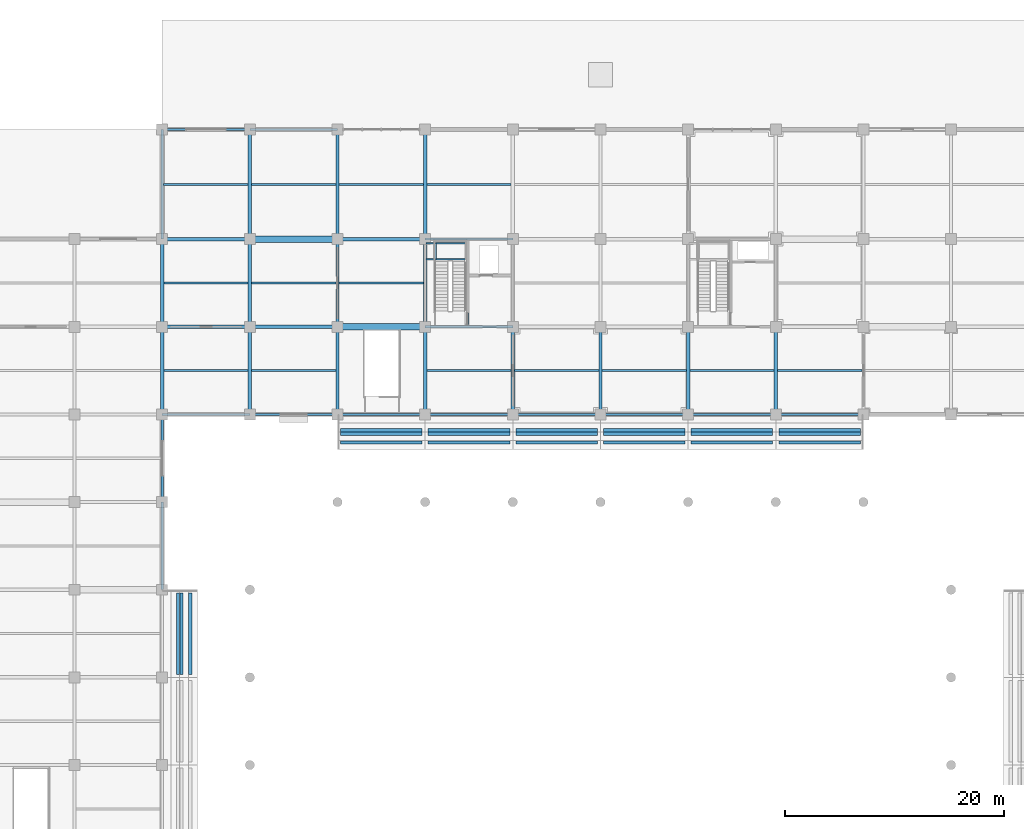
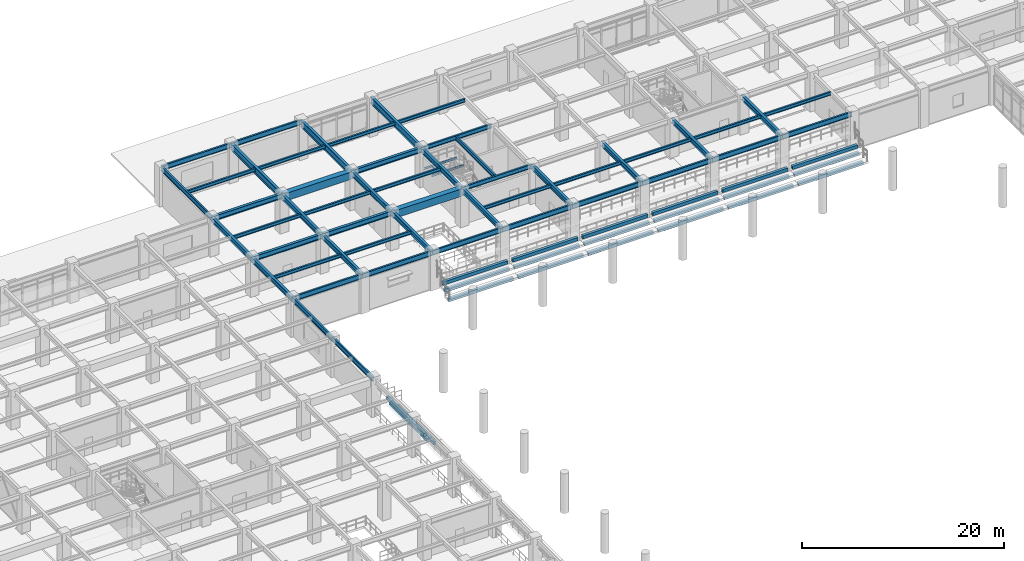
# One storey, part 45 of 117: 75 beams.
"""IFC4 building model written with IfcOpenShell, lengths in metres."""

import ifcopenshell
import ifcopenshell.guid

model = None  # the IFC model being written
_history = None  # IfcOwnerHistory: only IFC2X3 demands one
_inside = {}  # id of a spatial element -> (the spatial element, [elements in it])
_under = {}  # id of a project, library or spatial element -> (it, [spatial elements below it])
_declared = {}  # id of a project -> (the project, [libraries it declares])
_typed = {}  # id of a type object -> (the type object, [elements of that type])
_made_of = {}  # id of a material, layer set ... -> (it, [elements and type objects made of it])


def new_model(schema):
    """Start an empty IFC model of exactly this schema.

    Asked for "IFC4X3", IfcOpenShell would pick the latest addendum, in which some entities
    have other attributes; the version numbers below select the first issue.
    IFC2X3 requires an IfcOwnerHistory on every rooted entity: one is made here for all.
    """
    global model, _history
    if schema == "IFC4X3":
        model = ifcopenshell.file(schema_version=(4, 3, 0, 0))
    else:
        model = ifcopenshell.file(schema=schema)
    _inside.clear()
    _under.clear()
    _declared.clear()
    _typed.clear()
    _made_of.clear()
    _history = None
    if model.schema == "IFC2X3":
        org = make("IfcOrganization", Name="unknown")
        user = make(
            "IfcPersonAndOrganization",
            ThePerson=make("IfcPerson", FamilyName="unknown"),
            TheOrganization=org,
        )
        app = make(
            "IfcApplication",
            ApplicationDeveloper=org,
            Version="unknown",
            ApplicationFullName="unknown",
            ApplicationIdentifier="unknown",
        )
        _history = make(
            "IfcOwnerHistory",
            OwningUser=user,
            OwningApplication=app,
            ChangeAction="ADDED",
            CreationDate=0,
        )
    return model


def make(cls, **values):
    """One entity of the class cls with the attributes given. An attribute that is None is left unset."""
    return model.create_entity(
        cls, **{name: value for name, value in values.items() if value is not None}
    )


def rooted(cls, **values):
    """An entity with a GlobalId (a new one), such as an element, a storey or a relation."""
    return make(cls, GlobalId=ifcopenshell.guid.new(), OwnerHistory=_history, **values)


def si_unit(unit_type, name, prefix=None):
    """IfcSIUnit, for example si_unit("LENGTHUNIT", "METRE", prefix="MILLI")."""
    return make("IfcSIUnit", UnitType=unit_type, Prefix=prefix, Name=name)


def assignment(units):
    """IfcUnitAssignment: the units of a project."""
    return None if units is None else make("IfcUnitAssignment", Units=units)


def point(xyz):
    """IfcCartesianPoint."""
    return None if xyz is None else make("IfcCartesianPoint", Coordinates=xyz)


def direction(xyz):
    """IfcDirection."""
    return None if xyz is None else make("IfcDirection", DirectionRatios=xyz)


def frame(location, z_axis=None, x_axis=None):
    """IfcAxis2Placement3D, a coordinate frame: its origin and axes. An axis left out is left unset."""
    return make(
        "IfcAxis2Placement3D",
        Location=point(location),
        Axis=direction(z_axis),
        RefDirection=direction(x_axis),
    )


def frame_2d(location, x_axis=None):
    """IfcAxis2Placement2D, a coordinate frame in the plane: its origin and x axis."""
    return make(
        "IfcAxis2Placement2D", Location=point(location), RefDirection=direction(x_axis)
    )


def origin():
    """The frame at (0, 0, 0) with its axes left unset."""
    return frame((0.0, 0.0, 0.0))


def origin_2d():
    """The frame at (0, 0) in the plane with its x axis left unset."""
    return frame_2d((0.0, 0.0))


def place(relative_to, where):
    """IfcLocalPlacement: puts the frame where relative to a parent placement (None: the world)."""
    return make(
        "IfcLocalPlacement", PlacementRelTo=relative_to, RelativePlacement=where
    )


def context(
    kind, dimensions, precision=None, world=None, true_north=None, identifier=None
):
    """IfcGeometricRepresentationContext, for example the 3D "Model" context."""
    return make(
        "IfcGeometricRepresentationContext",
        ContextIdentifier=identifier,
        ContextType=kind,
        CoordinateSpaceDimension=dimensions,
        Precision=precision,
        WorldCoordinateSystem=world,
        TrueNorth=true_north,
    )


def subcontext(parent, identifier, kind, view, scale=None):
    """IfcGeometricRepresentationSubContext, for example "Body" below "Model"."""
    return make(
        "IfcGeometricRepresentationSubContext",
        ContextIdentifier=identifier,
        ContextType=kind,
        ParentContext=parent,
        TargetScale=scale,
        TargetView=view,
    )


def project(units=None, contexts=None):
    """IfcProject with its units and contexts."""
    return rooted(
        "IfcProject",
        Name="project",
        RepresentationContexts=contexts,
        UnitsInContext=assignment(units),
    )


def spatial(cls, under=None, at=None, **own):
    """A site, building, storey or space (cls), placed at a placement, below another one or the project."""
    s = rooted(cls, ObjectPlacement=at, **own)
    if under is not None:
        _under.setdefault(under.id(), (under, []))[1].append(s)
    return s


def profile(cls, at=None, kind="AREA", **sizes):
    """A parametric profile (cls). Its sizes go by their IFC names, for example OverallWidth=200.0."""
    return make(cls, ProfileType=kind, Position=at, **sizes)


def rectangle(**sizes):
    """IfcRectangleProfileDef."""
    return profile("IfcRectangleProfileDef", **sizes)


def i_section(**sizes):
    """IfcIShapeProfileDef."""
    return profile("IfcIShapeProfileDef", **sizes)


def extrude(swept, where, along, depth):
    """IfcExtrudedAreaSolid: the profile swept, set in the frame where, extruded along a direction by depth."""
    return make(
        "IfcExtrudedAreaSolid",
        SweptArea=swept,
        Position=where,
        ExtrudedDirection=direction(along),
        Depth=depth,
    )


def shape(context_of_items, identifier, shape_type, items):
    """IfcShapeRepresentation: the items that make up one representation, for example the "Body"."""
    return make(
        "IfcShapeRepresentation",
        ContextOfItems=context_of_items,
        RepresentationIdentifier=identifier,
        RepresentationType=shape_type,
        Items=items,
    )


def material(Name=None, Category=None):
    """IfcMaterial."""
    return make("IfcMaterial", Name=Name, Category=Category)


def material_profile(
    of_material, cross_section, Name=None, Category=None, Priority=None
):
    """IfcMaterialProfile: a cross section and its material."""
    return make(
        "IfcMaterialProfile",
        Name=Name,
        Material=of_material,
        Profile=cross_section,
        Priority=Priority,
        Category=Category,
    )


def profile_set(profiles, Name=None, composite=None):
    """IfcMaterialProfileSet."""
    return make(
        "IfcMaterialProfileSet",
        Name=Name,
        MaterialProfiles=profiles,
        CompositeProfile=composite,
    )


def made_of(thing, what):
    """Note that an element or type object is made of a material, layer set ...; save() writes the relation."""
    if what is not None:
        _made_of.setdefault(what.id(), (what, []))[1].append(thing)
    return thing


def type_object(cls, material=None, **own):
    """A type object (cls), such as IfcWallType, which elements share."""
    return made_of(rooted(cls, **own), material)


def element(
    cls,
    number,
    at=None,
    inside=None,
    cuts=None,
    type_object=None,
    material=None,
    context=None,
    identifier="Body",
    shape_type=None,
    held_by="IfcProductDefinitionShape",
    body=None,
    shapes=None,
    **own,
):
    """One element of the class cls, such as IfcWall. Its Tag is "e" and its number.

    at: its placement. inside: the storey or other place that contains it. cuts: it is an
    opening in that element (IfcRelVoidsElement). A single representation is given by context,
    identifier, shape_type and body (its items); several are given by shapes. held_by: the class
    of the entity that holds the representations. save() writes the other relations.
    """
    e = rooted(cls, Tag="e%d" % number, ObjectPlacement=at, **own)
    if body is not None:
        shapes = [shape(context, identifier, shape_type, body)]
    if shapes is not None:
        e.Representation = make(held_by, Representations=shapes)
    if inside is not None:
        _inside.setdefault(inside.id(), (inside, []))[1].append(e)
    if cuts is not None:
        rooted(
            "IfcRelVoidsElement", RelatingBuildingElement=cuts, RelatedOpeningElement=e
        )
    if type_object is not None:
        _typed.setdefault(type_object.id(), (type_object, []))[1].append(e)
    return made_of(e, material)


def aggregate(whole, parts):
    """IfcRelAggregates: a whole, such as a stair, and the parts it consists of."""
    return rooted("IfcRelAggregates", RelatingObject=whole, RelatedObjects=parts)


def save(model, path):
    """Write the relations noted so far, then the file.

    IfcRelAggregates (storeys below a building ...), IfcRelContainedInSpatialStructure (elements
    in a storey), IfcRelDefinesByType, IfcRelAssociatesMaterial and IfcRelDeclares: one each for
    every whole, place, type object, material and project.
    """
    for whole, parts in _under.values():
        aggregate(whole, parts)
    for where, things in _inside.values():
        rooted(
            "IfcRelContainedInSpatialStructure",
            RelatedElements=things,
            RelatingStructure=where,
        )
    for kind, things in _typed.values():
        rooted("IfcRelDefinesByType", RelatedObjects=things, RelatingType=kind)
    for what, things in _made_of.values():
        rooted("IfcRelAssociatesMaterial", RelatedObjects=things, RelatingMaterial=what)
    for by, libraries in _declared.values():
        rooted("IfcRelDeclares", RelatingContext=by, RelatedDefinitions=libraries)
    model.write(path)


model = new_model("IFC4")

# Units and contexts
model_context = context("Model", 3, precision=1e-05, world=origin(), true_north=direction((0.0, 1.0)))
body_context = subcontext(model_context, "Body", "Model", "MODEL_VIEW")
ifc_project = project(units=[si_unit("LENGTHUNIT", "METRE"), si_unit("AREAUNIT", "SQUARE_METRE"), si_unit("VOLUMEUNIT", "CUBIC_METRE"), si_unit("PLANEANGLEUNIT", "RADIAN"), si_unit("MASSUNIT", "GRAM", prefix="KILO")], contexts=[model_context])

# Site, building, storey
site_placement = place(None, origin())
site = spatial("IfcSite", under=ifc_project, at=site_placement, CompositionType="ELEMENT")
building_placement = place(site_placement, origin())
building = spatial("IfcBuilding", under=site, at=building_placement, Name="Haebicheon Civic Stadium", CompositionType="ELEMENT")
storey_placement = place(building_placement, frame((0.0, 0.0, 4.800048828125)))
storey = spatial("IfcBuildingStorey", under=building, at=storey_placement, Name="L02", CompositionType="ELEMENT", Elevation=4.800048828125)

# Beams
ifc_material_1 = material(Name="Precast concrete C40/50", Category="concrete")
ifc_material_profile_1 = material_profile(ifc_material_1, rectangle(XDim=0.300048828125, YDim=0.39990234375, at=origin_2d()), Name="PC-LN-300x400")
ifc_profile_set_1 = profile_set([ifc_material_profile_1], Name="Precast concrete C40/50")
beam_type_1 = type_object("IfcBeamType", Name="BM-LN-300x400", PredefinedType="LINTEL", material=ifc_profile_set_1)
for number, where, z_axis, x_axis, name in (
    (1, (66.56005859375, 128.280029296875, 0.22705078125), (0.0, 1.0, 0.0), (-1.0, 0.0, 0.0), "TIER-W-L precast step carrier beam 11.7"),
    (2, (65.760009765625, 128.280029296875, 0.93798828125), (0.0, 1.0, 0.0), (-1.0, 0.0, 0.0), "TIER-W-L precast step carrier beam 11.8"),
    (3, (65.43994140625, 128.280029296875, 1.64892578125), (0.0, 1.0, 0.0), (-1.0, 0.0, 0.0), "TIER-W-L precast step carrier beam 11.9"),
    (4, (80.280029296875, 149.43994140625, -0.0400390625), (1.0, 0.0, 0.0), (0.0, 1.0, 0.0), "TIER-N-L precast step carrier beam 1.7"),
    (5, (80.280029296875, 150.239990234375, 0.626953125), (1.0, 0.0, 0.0), (0.0, 1.0, 0.0), "TIER-N-L precast step carrier beam 1.8"),
    (6, (80.280029296875, 150.56005859375, 1.29296875), (1.0, 0.0, 0.0), (0.0, 1.0, 0.0), "TIER-N-L precast step carrier beam 1.9"),
    (7, (88.280029296875, 149.43994140625, -0.0400390625), (1.0, 0.0, 0.0), (0.0, 1.0, 0.0), "TIER-N-L precast step carrier beam 2.7"),
    (8, (88.280029296875, 150.239990234375, 0.626953125), (1.0, 0.0, 0.0), (0.0, 1.0, 0.0), "TIER-N-L precast step carrier beam 2.8"),
    (9, (88.280029296875, 150.56005859375, 1.29296875), (1.0, 0.0, 0.0), (0.0, 1.0, 0.0), "TIER-N-L precast step carrier beam 2.9"),
    (10, (96.280029296875, 149.43994140625, -0.0400390625), (1.0, 0.0, 0.0), (0.0, 1.0, 0.0), "TIER-N-L precast step carrier beam 3.7"),
    (11, (96.280029296875, 150.239990234375, 0.626953125), (1.0, 0.0, 0.0), (0.0, 1.0, 0.0), "TIER-N-L precast step carrier beam 3.8"),
    (12, (96.280029296875, 150.56005859375, 1.29296875), (1.0, 0.0, 0.0), (0.0, 1.0, 0.0), "TIER-N-L precast step carrier beam 3.9"),
    (13, (104.280029296875, 149.43994140625, -0.0400390625), (1.0, 0.0, 0.0), (0.0, 1.0, 0.0), "TIER-N-L precast step carrier beam 4.7"),
    (14, (104.280029296875, 150.239990234375, 0.626953125), (1.0, 0.0, 0.0), (0.0, 1.0, 0.0), "TIER-N-L precast step carrier beam 4.8"),
    (15, (104.280029296875, 150.56005859375, 1.29296875), (1.0, 0.0, 0.0), (0.0, 1.0, 0.0), "TIER-N-L precast step carrier beam 4.9"),
    (16, (112.280029296875, 149.43994140625, -0.0400390625), (1.0, 0.0, 0.0), (0.0, 1.0, 0.0), "TIER-N-L precast step carrier beam 5.7"),
    (17, (112.280029296875, 150.239990234375, 0.626953125), (1.0, 0.0, 0.0), (0.0, 1.0, 0.0), "TIER-N-L precast step carrier beam 5.8"),
    (18, (112.280029296875, 150.56005859375, 1.29296875), (1.0, 0.0, 0.0), (0.0, 1.0, 0.0), "TIER-N-L precast step carrier beam 5.9"),
    (19, (120.280029296875, 149.43994140625, -0.0400390625), (1.0, 0.0, 0.0), (0.0, 1.0, 0.0), "TIER-N-L precast step carrier beam 6.7"),
    (20, (120.280029296875, 150.239990234375, 0.626953125), (1.0, 0.0, 0.0), (0.0, 1.0, 0.0), "TIER-N-L precast step carrier beam 6.8"),
    (21, (120.280029296875, 150.56005859375, 1.29296875), (1.0, 0.0, 0.0), (0.0, 1.0, 0.0), "TIER-N-L precast step carrier beam 6.9"),
):
    element("IfcBeam", number, at=place(storey_placement, frame(where, z_axis=z_axis, x_axis=x_axis)), inside=storey, type_object=beam_type_1, material=ifc_profile_set_1, Name=name, PredefinedType="LINTEL", context=body_context, shape_type="SweptSolid", body=[
        extrude(rectangle(XDim=0.300048828125, YDim=0.39990234375, at=origin_2d()), origin(), (0.0, 0.0, 1.0), 7.43994140625),
    ])
ifc_material_2 = material(Name="Concrete C40/50", Category="concrete")
ifc_material_profile_2 = material_profile(ifc_material_2, rectangle(XDim=0.60009765625, YDim=0.89990234375, at=origin_2d()), Name="RC-BM-600x900")
ifc_profile_set_2 = profile_set([ifc_material_profile_2], Name="Concrete C40/50")
beam_type_2 = type_object("IfcBeamType", Name="BM-RC-600x900", PredefinedType="BEAM", material=ifc_profile_set_2)
for number, where, z_axis, x_axis, name in (
    (22, (72.0, 168.0, 4.070068359375), (1.0, 0.0, 0.0), (0.0, 1.0, 0.0), "L02 beam X/10-11"),
    (23, (80.0, 160.0, 4.070068359375), (1.0, 0.0, 0.0), (0.0, 1.0, 0.0), "L02 beam W/11-12"),
):
    element("IfcBeam", number, at=place(storey_placement, frame(where, z_axis=z_axis, x_axis=x_axis)), inside=storey, type_object=beam_type_2, material=ifc_profile_set_2, Name=name, PredefinedType="BEAM", context=body_context, shape_type="SweptSolid", body=[
        extrude(rectangle(XDim=0.60009765625, YDim=0.89990234375, at=origin_2d()), origin(), (0.0, 0.0, 1.0), 8.0),
    ])
ifc_material_3 = material(Name="Steel SM355 (S355)", Category="steel")
ifc_material_profile_3 = material_profile(ifc_material_3, i_section(OverallWidth=0.199951171875, OverallDepth=0.5, WebThickness=0.010009765625, FlangeThickness=0.01611328125, at=origin_2d()), Name="H-500x200x10x16")
ifc_profile_set_3 = profile_set([ifc_material_profile_3], Name="Steel SM355 (S355)")
beam_type_3 = type_object("IfcBeamType", Name="BM-ST-H500", PredefinedType="BEAM", material=ifc_profile_set_3)
for number, where, z_axis, x_axis, name in (
    (24, (88.0, 160.0, 4.27001953125), (1.0, 0.0, 0.0), (0.0, 1.0, 0.0), "L02 beam W/12-13"),
    (25, (88.0, 168.0, 4.27001953125), (1.0, 0.0, 0.0), (0.0, 1.0, 0.0), "L02 beam X/12-13"),
):
    element("IfcBeam", number, at=place(storey_placement, frame(where, z_axis=z_axis, x_axis=x_axis)), inside=storey, type_object=beam_type_3, material=ifc_profile_set_3, Name=name, PredefinedType="BEAM", context=body_context, shape_type="SweptSolid", body=[
        extrude(i_section(OverallWidth=0.199951171875, OverallDepth=0.5, WebThickness=0.010009765625, FlangeThickness=0.01611328125, at=origin_2d()), origin(), (0.0, 0.0, 1.0), 8.0),
    ])
beam_1_placement = place(storey_placement, frame((91.8798828125, 160.10009765625, 4.27001953125), z_axis=(0.0, 1.0, 0.0), x_axis=(-1.0, 0.0, 0.0)))
element("IfcBeam", 26, at=beam_1_placement, inside=storey, type_object=beam_type_3, material=ifc_profile_set_3, Name="L02 KC-08 core dividing wall support beam", PredefinedType="BEAM", context=body_context, shape_type="SweptSolid", body=[
    extrude(i_section(OverallWidth=0.199951171875, OverallDepth=0.5, WebThickness=0.010009765625, FlangeThickness=0.01611328125, at=origin_2d()), origin(), (0.0, 0.0, 1.0), 7.7998046875),
])
ifc_material_4 = material(Name="Steel SM355 (S355)", Category="steel")
ifc_material_profile_4 = material_profile(ifc_material_4, i_section(OverallWidth=0.300048828125, OverallDepth=0.60009765625, WebThickness=0.011962890625, FlangeThickness=0.02001953125, at=origin_2d()), Name="H-600x300x12x20")
ifc_profile_set_4 = profile_set([ifc_material_profile_4], Name="Steel SM355 (S355)")
beam_type_4 = type_object("IfcBeamType", Name="BM-ST-H600A", PredefinedType="BEAM", material=ifc_profile_set_4)
for number, where, z_axis, x_axis, name in (
    (27, (64.0, 152.0, 4.219970703125), (0.0, 1.0, 0.0), (-1.0, 0.0, 0.0), "L02 girder 9/V-W"),
    (28, (64.0, 160.0, 4.219970703125), (0.0, 1.0, 0.0), (-1.0, 0.0, 0.0), "L02 girder 9/W-X"),
    (29, (72.0, 152.0, 4.219970703125), (0.0, 1.0, 0.0), (-1.0, 0.0, 0.0), "L02 girder 10/V-W"),
    (30, (72.0, 160.0, 4.219970703125), (0.0, 1.0, 0.0), (-1.0, 0.0, 0.0), "L02 girder 10/W-X"),
    (31, (80.0, 152.0, 4.219970703125), (0.0, 1.0, 0.0), (-1.0, 0.0, 0.0), "L02 girder 11/V-W"),
    (32, (80.0, 160.0, 4.219970703125), (0.0, 1.0, 0.0), (-1.0, 0.0, 0.0), "L02 girder 11/W-X"),
    (33, (88.0, 152.0, 4.219970703125), (0.0, 1.0, 0.0), (-1.0, 0.0, 0.0), "L02 girder 12/V-W"),
    (34, (88.0, 160.0, 4.219970703125), (0.0, 1.0, 0.0), (-1.0, 0.0, 0.0), "L02 girder 12/W-X"),
    (35, (96.0, 152.0, 4.219970703125), (0.0, 1.0, 0.0), (-1.0, 0.0, 0.0), "L02 girder 13/V-W"),
    (36, (104.0, 152.0, 4.219970703125), (0.0, 1.0, 0.0), (-1.0, 0.0, 0.0), "L02 girder 14/V-W"),
    (37, (112.0, 152.0, 4.219970703125), (0.0, 1.0, 0.0), (-1.0, 0.0, 0.0), "L02 girder 15/V-W"),
    (38, (120.0, 152.0, 4.219970703125), (0.0, 1.0, 0.0), (-1.0, 0.0, 0.0), "L02 girder 16/V-W"),
    (39, (64.0, 160.0, 4.219970703125), (1.0, 0.0, 0.0), (0.0, 1.0, 0.0), "L02 beam W/9-10"),
    (40, (64.0, 168.0, 4.219970703125), (1.0, 0.0, 0.0), (0.0, 1.0, 0.0), "L02 beam X/9-10"),
    (41, (72.0, 160.0, 4.219970703125), (1.0, 0.0, 0.0), (0.0, 1.0, 0.0), "L02 beam W/10-11"),
    (42, (80.0, 168.0, 4.219970703125), (1.0, 0.0, 0.0), (0.0, 1.0, 0.0), "L02 beam X/11-12"),
):
    element("IfcBeam", number, at=place(storey_placement, frame(where, z_axis=z_axis, x_axis=x_axis)), inside=storey, type_object=beam_type_4, material=ifc_profile_set_4, Name=name, PredefinedType="BEAM", context=body_context, shape_type="SweptSolid", body=[
        extrude(i_section(OverallWidth=0.300048828125, OverallDepth=0.60009765625, WebThickness=0.011962890625, FlangeThickness=0.02001953125, at=origin_2d()), origin(), (0.0, 0.0, 1.0), 8.0),
    ])
ifc_material_5 = material(Name="Steel SM490", Category="steel")
ifc_material_profile_5 = material_profile(ifc_material_5, i_section(OverallWidth=0.300048828125, OverallDepth=0.800048828125, WebThickness=0.013916015625, FlangeThickness=0.02587890625, at=origin_2d()), Name="H-800x300x14x26")
ifc_profile_set_5 = profile_set([ifc_material_profile_5], Name="Steel SM490")
beam_type_5 = type_object("IfcBeamType", Name="BM-ST-H800", PredefinedType="BEAM", material=ifc_profile_set_5)
for number, where, z_axis, x_axis, name in (
    (43, (72.0, 168.0, 4.179931640625), (0.0, 1.0, 0.0), (-1.0, 0.0, 0.0), "L02 girder 10/X-Y"),
    (44, (80.0, 168.0, 4.179931640625), (0.0, 1.0, 0.0), (-1.0, 0.0, 0.0), "L02 girder 11/X-Y"),
    (45, (88.0, 168.0, 4.179931640625), (0.0, 1.0, 0.0), (-1.0, 0.0, 0.0), "L02 girder 12/X-Y"),
):
    element("IfcBeam", number, at=place(storey_placement, frame(where, z_axis=z_axis, x_axis=x_axis)), inside=storey, type_object=beam_type_5, material=ifc_profile_set_5, Name=name, PredefinedType="BEAM", context=body_context, shape_type="SweptSolid", body=[
        extrude(i_section(OverallWidth=0.300048828125, OverallDepth=0.800048828125, WebThickness=0.013916015625, FlangeThickness=0.02587890625, at=origin_2d()), origin(), (0.0, 0.0, 1.0), 10.0),
    ])
ifc_material_6 = material(Name="Steel SM355 (S355)", Category="steel")
ifc_material_profile_6 = material_profile(ifc_material_6, i_section(OverallWidth=0.125, OverallDepth=0.25, WebThickness=0.006103515625, FlangeThickness=0.009033203125, at=origin_2d()), Name="H-250x125x6x9")
ifc_profile_set_6 = profile_set([ifc_material_profile_6], Name="Steel SM355 (S355)")
beam_type_6 = type_object("IfcBeamType", Name="JST-ST-H250", PredefinedType="JOIST", material=ifc_profile_set_6)
for number, where, z_axis, x_axis, name in (
    (46, (88.080078125, 166.169921875, 2.072021484375), (1.0, 0.0, 0.0), (0.0, 1.0, 0.0), "KC-08 L02 stair half-landing front trimmer beam"),
    (47, (88.080078125, 167.6201171875, 2.072021484375), (1.0, 0.0, 0.0), (0.0, 1.0, 0.0), "KC-08 L02 stair half-landing rear trimmer beam"),
):
    element("IfcBeam", number, at=place(storey_placement, frame(where, z_axis=z_axis, x_axis=x_axis)), inside=storey, type_object=beam_type_6, material=ifc_profile_set_6, Name=name, PredefinedType="JOIST", context=body_context, shape_type="SweptSolid", body=[
        extrude(i_section(OverallWidth=0.125, OverallDepth=0.25, WebThickness=0.006103515625, FlangeThickness=0.009033203125, at=origin_2d()), origin(), (0.0, 0.0, 1.0), 3.719970703125),
    ])
beam_2_placement = place(storey_placement, frame((88.9599609375, 166.169921875, 2.072021484375), z_axis=(0.0, 1.0, 0.0), x_axis=(-1.0, 0.0, 0.0)))
element("IfcBeam", 48, at=beam_2_placement, inside=storey, type_object=beam_type_6, material=ifc_profile_set_6, Name="KC-08 L02 stair half-landing transverse tie beam", PredefinedType="JOIST", context=body_context, shape_type="SweptSolid", body=[
    extrude(i_section(OverallWidth=0.125, OverallDepth=0.25, WebThickness=0.006103515625, FlangeThickness=0.009033203125, at=origin_2d()), origin(), (0.0, 0.0, 1.0), 1.4501953125),
])
ifc_material_7 = material(Name="Steel SM355 (S355)", Category="steel")
ifc_material_profile_7 = material_profile(ifc_material_7, i_section(OverallWidth=0.199951171875, OverallDepth=0.39990234375, WebThickness=0.008056640625, FlangeThickness=0.012939453125, at=origin_2d()), Name="H-400x200x8x13")
ifc_profile_set_7 = profile_set([ifc_material_profile_7], Name="Steel SM355 (S355)")
beam_type_7 = type_object("IfcBeamType", Name="JST-ST-H400", PredefinedType="JOIST", material=ifc_profile_set_7)
for number, where, z_axis, x_axis, name in (
    (49, (64.14990234375, 156.0, 4.320068359375), (1.0, 0.0, 0.0), (0.0, 1.0, 0.0), "L02 secondary joist 08-19"),
    (50, (64.14990234375, 164.0, 4.320068359375), (1.0, 0.0, 0.0), (0.0, 1.0, 0.0), "L02 secondary joist 08-20"),
):
    element("IfcBeam", number, at=place(storey_placement, frame(where, z_axis=z_axis, x_axis=x_axis)), inside=storey, type_object=beam_type_7, material=ifc_profile_set_7, Name=name, PredefinedType="JOIST", context=body_context, shape_type="SweptSolid", body=[
        extrude(i_section(OverallWidth=0.199951171875, OverallDepth=0.39990234375, WebThickness=0.008056640625, FlangeThickness=0.012939453125, at=origin_2d()), origin(), (0.0, 0.0, 1.0), 7.7001953125),
    ])
beam_3_placement = place(storey_placement, frame((64.10009765625, 173.0, 4.3798828125), z_axis=(1.0, 0.0, 0.0), x_axis=(0.0, 1.0, 0.0)))
element("IfcBeam", 51, at=beam_3_placement, inside=storey, type_object=beam_type_7, material=ifc_profile_set_7, Name="L02 secondary joist 08-21", PredefinedType="JOIST", context=body_context, shape_type="SweptSolid", body=[
    extrude(i_section(OverallWidth=0.199951171875, OverallDepth=0.39990234375, WebThickness=0.008056640625, FlangeThickness=0.012939453125, at=origin_2d()), origin(), (0.0, 0.0, 1.0), 7.75),
])
for number, where, z_axis, x_axis, name in (
    (52, (72.14990234375, 156.0, 4.320068359375), (1.0, 0.0, 0.0), (0.0, 1.0, 0.0), "L02 secondary joist 09-19"),
    (53, (72.14990234375, 164.0, 4.320068359375), (1.0, 0.0, 0.0), (0.0, 1.0, 0.0), "L02 secondary joist 09-20"),
    (54, (72.14990234375, 173.0, 4.3798828125), (1.0, 0.0, 0.0), (0.0, 1.0, 0.0), "L02 secondary joist 09-21"),
    (55, (80.14990234375, 164.0, 4.320068359375), (1.0, 0.0, 0.0), (0.0, 1.0, 0.0), "L02 secondary joist 10-20"),
    (56, (80.14990234375, 173.0, 4.3798828125), (1.0, 0.0, 0.0), (0.0, 1.0, 0.0), "L02 secondary joist 10-21"),
    (57, (88.14990234375, 156.0, 4.320068359375), (1.0, 0.0, 0.0), (0.0, 1.0, 0.0), "L02 secondary joist 11-19"),
    (58, (88.14990234375, 173.0, 4.3798828125), (1.0, 0.0, 0.0), (0.0, 1.0, 0.0), "L02 secondary joist 11-21"),
    (59, (96.14990234375, 156.0, 4.320068359375), (1.0, 0.0, 0.0), (0.0, 1.0, 0.0), "L02 secondary joist 12-19"),
    (60, (104.14990234375, 156.0, 4.320068359375), (1.0, 0.0, 0.0), (0.0, 1.0, 0.0), "L02 secondary joist 13-19"),
    (61, (112.14990234375, 156.0, 4.320068359375), (1.0, 0.0, 0.0), (0.0, 1.0, 0.0), "L02 secondary joist 14-19"),
    (62, (120.14990234375, 156.0, 4.320068359375), (1.0, 0.0, 0.0), (0.0, 1.0, 0.0), "L02 secondary joist 15-19"),
):
    element("IfcBeam", number, at=place(storey_placement, frame(where, z_axis=z_axis, x_axis=x_axis)), inside=storey, type_object=beam_type_7, material=ifc_profile_set_7, Name=name, PredefinedType="JOIST", context=body_context, shape_type="SweptSolid", body=[
        extrude(i_section(OverallWidth=0.199951171875, OverallDepth=0.39990234375, WebThickness=0.008056640625, FlangeThickness=0.012939453125, at=origin_2d()), origin(), (0.0, 0.0, 1.0), 7.7001953125),
    ])
ifc_material_8 = material(Name="Steel SM355 (S355)", Category="steel")
ifc_material_profile_8 = material_profile(ifc_material_8, i_section(OverallWidth=0.199951171875, OverallDepth=0.60009765625, WebThickness=0.010986328125, FlangeThickness=0.01708984375, at=origin_2d()), Name="H-600x200x11x17")
ifc_profile_set_8 = profile_set([ifc_material_profile_8], Name="Steel SM355 (S355)")
beam_type_8 = type_object("IfcBeamType", Name="SPD-ST-H600B", PredefinedType="SPANDREL", material=ifc_profile_set_8)
for number, where, z_axis, x_axis, name in (
    (63, (64.0, 136.0, 4.219970703125), (0.0, 1.0, 0.0), (-1.0, 0.0, 0.0), "L02 girder 9/T-U"),
    (64, (64.0, 144.0, 4.219970703125), (0.0, 1.0, 0.0), (-1.0, 0.0, 0.0), "L02 girder 9/U-V"),
):
    element("IfcBeam", number, at=place(storey_placement, frame(where, z_axis=z_axis, x_axis=x_axis)), inside=storey, type_object=beam_type_8, material=ifc_profile_set_8, Name=name, PredefinedType="SPANDREL", context=body_context, shape_type="SweptSolid", body=[
        extrude(i_section(OverallWidth=0.199951171875, OverallDepth=0.60009765625, WebThickness=0.010986328125, FlangeThickness=0.01708984375, at=origin_2d()), origin(), (0.0, 0.0, 1.0), 8.0),
    ])
beam_4_placement = place(storey_placement, frame((64.0, 168.0, 4.280029296875), z_axis=(0.0, 1.0, 0.0), x_axis=(-1.0, 0.0, 0.0)))
element("IfcBeam", 65, at=beam_4_placement, inside=storey, type_object=beam_type_8, material=ifc_profile_set_8, Name="L02 girder 9/X-Y", PredefinedType="SPANDREL", context=body_context, shape_type="SweptSolid", body=[
    extrude(i_section(OverallWidth=0.199951171875, OverallDepth=0.60009765625, WebThickness=0.010986328125, FlangeThickness=0.01708984375, at=origin_2d()), origin(), (0.0, 0.0, 1.0), 10.0),
])
for number, where, z_axis, x_axis, name in (
    (66, (64.0, 152.0, 4.219970703125), (1.0, 0.0, 0.0), (0.0, 1.0, 0.0), "L02 beam V/9-10"),
    (67, (64.0, 178.0, 4.280029296875), (1.0, 0.0, 0.0), (0.0, 1.0, 0.0), "L02 beam Y/9-10"),
    (68, (72.0, 152.0, 4.219970703125), (1.0, 0.0, 0.0), (0.0, 1.0, 0.0), "L02 beam V/10-11"),
    (69, (72.0, 178.0, 4.280029296875), (1.0, 0.0, 0.0), (0.0, 1.0, 0.0), "L02 beam Y/10-11"),
    (70, (80.0, 152.0, 4.219970703125), (1.0, 0.0, 0.0), (0.0, 1.0, 0.0), "L02 beam V/11-12"),
    (71, (88.0, 152.0, 4.219970703125), (1.0, 0.0, 0.0), (0.0, 1.0, 0.0), "L02 beam V/12-13"),
    (72, (96.0, 152.0, 4.219970703125), (1.0, 0.0, 0.0), (0.0, 1.0, 0.0), "L02 beam V/13-14"),
    (73, (104.0, 152.0, 4.219970703125), (1.0, 0.0, 0.0), (0.0, 1.0, 0.0), "L02 beam V/14-15"),
    (74, (112.0, 152.0, 4.219970703125), (1.0, 0.0, 0.0), (0.0, 1.0, 0.0), "L02 beam V/15-16"),
    (75, (120.0, 152.0, 4.219970703125), (1.0, 0.0, 0.0), (0.0, 1.0, 0.0), "L02 beam V/16-17"),
):
    element("IfcBeam", number, at=place(storey_placement, frame(where, z_axis=z_axis, x_axis=x_axis)), inside=storey, type_object=beam_type_8, material=ifc_profile_set_8, Name=name, PredefinedType="SPANDREL", context=body_context, shape_type="SweptSolid", body=[
        extrude(i_section(OverallWidth=0.199951171875, OverallDepth=0.60009765625, WebThickness=0.010986328125, FlangeThickness=0.01708984375, at=origin_2d()), origin(), (0.0, 0.0, 1.0), 8.0),
    ])

save(model, "model.ifc")
